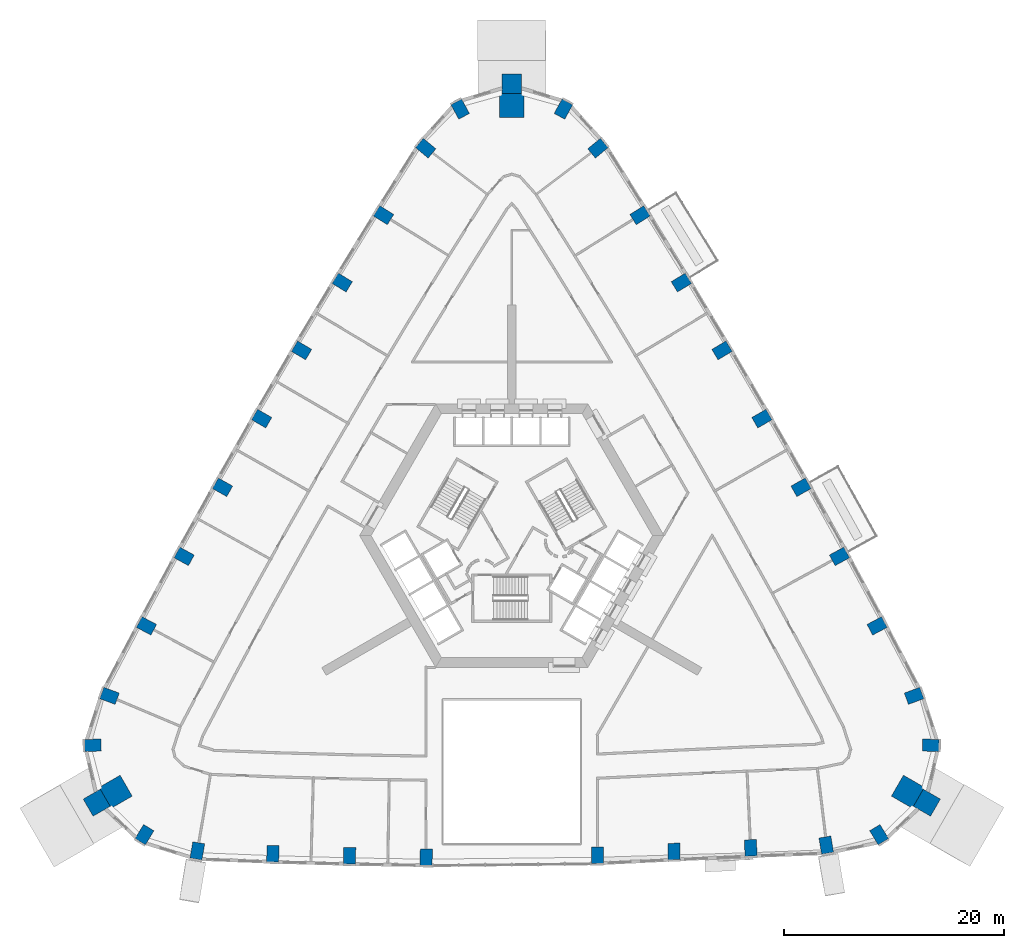
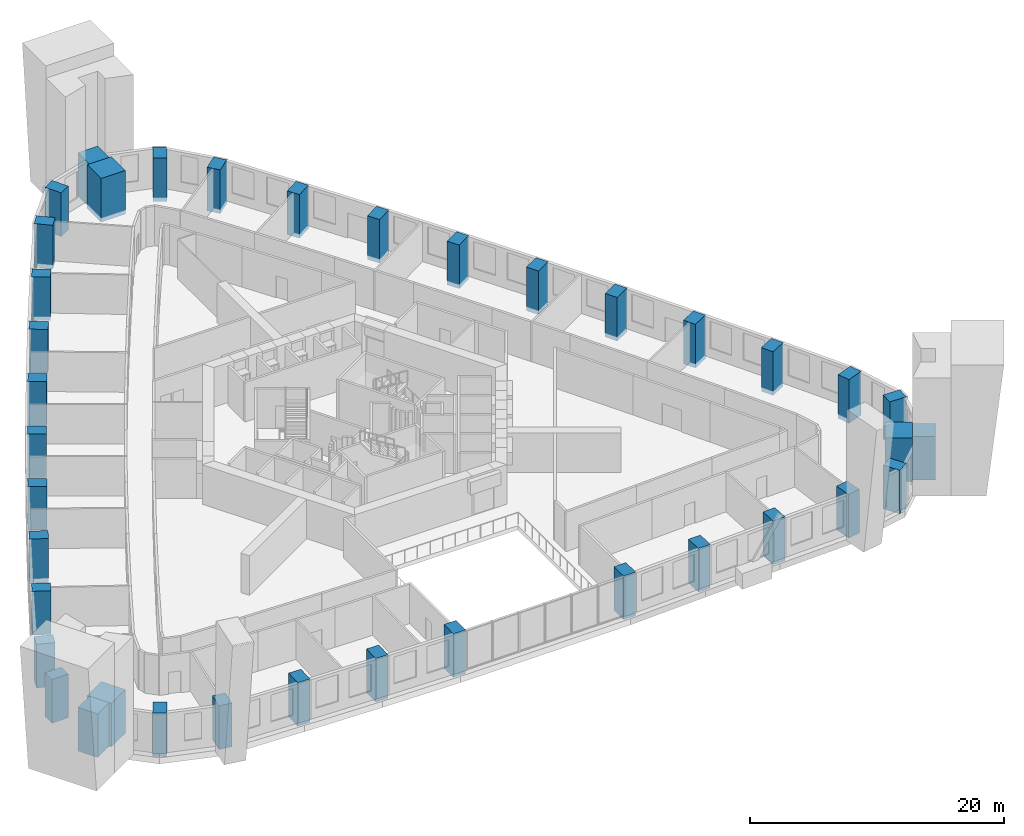
# One storey, part 1 of 15: 38 columns.
"""IFC4 building model written with IfcOpenShell, lengths in metres."""

import ifcopenshell
import ifcopenshell.guid

model = None  # the IFC model being written
_history = None  # IfcOwnerHistory: only IFC2X3 demands one
_inside = {}  # id of a spatial element -> (the spatial element, [elements in it])
_under = {}  # id of a project, library or spatial element -> (it, [spatial elements below it])
_declared = {}  # id of a project -> (the project, [libraries it declares])
_typed = {}  # id of a type object -> (the type object, [elements of that type])
_made_of = {}  # id of a material, layer set ... -> (it, [elements and type objects made of it])


def new_model(schema):
    """Start an empty IFC model of exactly this schema.

    Asked for "IFC4X3", IfcOpenShell would pick the latest addendum, in which some entities
    have other attributes; the version numbers below select the first issue.
    IFC2X3 requires an IfcOwnerHistory on every rooted entity: one is made here for all.
    """
    global model, _history
    if schema == "IFC4X3":
        model = ifcopenshell.file(schema_version=(4, 3, 0, 0))
    else:
        model = ifcopenshell.file(schema=schema)
    _inside.clear()
    _under.clear()
    _declared.clear()
    _typed.clear()
    _made_of.clear()
    _history = None
    if model.schema == "IFC2X3":
        org = make("IfcOrganization", Name="unknown")
        user = make(
            "IfcPersonAndOrganization",
            ThePerson=make("IfcPerson", FamilyName="unknown"),
            TheOrganization=org,
        )
        app = make(
            "IfcApplication",
            ApplicationDeveloper=org,
            Version="unknown",
            ApplicationFullName="unknown",
            ApplicationIdentifier="unknown",
        )
        _history = make(
            "IfcOwnerHistory",
            OwningUser=user,
            OwningApplication=app,
            ChangeAction="ADDED",
            CreationDate=0,
        )
    return model


def make(cls, **values):
    """One entity of the class cls with the attributes given. An attribute that is None is left unset."""
    return model.create_entity(
        cls, **{name: value for name, value in values.items() if value is not None}
    )


def rooted(cls, **values):
    """An entity with a GlobalId (a new one), such as an element, a storey or a relation."""
    return make(cls, GlobalId=ifcopenshell.guid.new(), OwnerHistory=_history, **values)


def si_unit(unit_type, name, prefix=None):
    """IfcSIUnit, for example si_unit("LENGTHUNIT", "METRE", prefix="MILLI")."""
    return make("IfcSIUnit", UnitType=unit_type, Prefix=prefix, Name=name)


def assignment(units):
    """IfcUnitAssignment: the units of a project."""
    return None if units is None else make("IfcUnitAssignment", Units=units)


def point(xyz):
    """IfcCartesianPoint."""
    return None if xyz is None else make("IfcCartesianPoint", Coordinates=xyz)


def direction(xyz):
    """IfcDirection."""
    return None if xyz is None else make("IfcDirection", DirectionRatios=xyz)


def frame(location, z_axis=None, x_axis=None):
    """IfcAxis2Placement3D, a coordinate frame: its origin and axes. An axis left out is left unset."""
    return make(
        "IfcAxis2Placement3D",
        Location=point(location),
        Axis=direction(z_axis),
        RefDirection=direction(x_axis),
    )


def frame_2d(location, x_axis=None):
    """IfcAxis2Placement2D, a coordinate frame in the plane: its origin and x axis."""
    return make(
        "IfcAxis2Placement2D", Location=point(location), RefDirection=direction(x_axis)
    )


def origin():
    """The frame at (0, 0, 0) with its axes left unset."""
    return frame((0.0, 0.0, 0.0))


def origin_2d():
    """The frame at (0, 0) in the plane with its x axis left unset."""
    return frame_2d((0.0, 0.0))


def place(relative_to, where):
    """IfcLocalPlacement: puts the frame where relative to a parent placement (None: the world)."""
    return make(
        "IfcLocalPlacement", PlacementRelTo=relative_to, RelativePlacement=where
    )


def context(
    kind, dimensions, precision=None, world=None, true_north=None, identifier=None
):
    """IfcGeometricRepresentationContext, for example the 3D "Model" context."""
    return make(
        "IfcGeometricRepresentationContext",
        ContextIdentifier=identifier,
        ContextType=kind,
        CoordinateSpaceDimension=dimensions,
        Precision=precision,
        WorldCoordinateSystem=world,
        TrueNorth=true_north,
    )


def subcontext(parent, identifier, kind, view, scale=None):
    """IfcGeometricRepresentationSubContext, for example "Body" below "Model"."""
    return make(
        "IfcGeometricRepresentationSubContext",
        ContextIdentifier=identifier,
        ContextType=kind,
        ParentContext=parent,
        TargetScale=scale,
        TargetView=view,
    )


def project(units=None, contexts=None):
    """IfcProject with its units and contexts."""
    return rooted(
        "IfcProject",
        Name="project",
        RepresentationContexts=contexts,
        UnitsInContext=assignment(units),
    )


def spatial(cls, under=None, at=None, **own):
    """A site, building, storey or space (cls), placed at a placement, below another one or the project."""
    s = rooted(cls, ObjectPlacement=at, **own)
    if under is not None:
        _under.setdefault(under.id(), (under, []))[1].append(s)
    return s


def profile(cls, at=None, kind="AREA", **sizes):
    """A parametric profile (cls). Its sizes go by their IFC names, for example OverallWidth=200.0."""
    return make(cls, ProfileType=kind, Position=at, **sizes)


def rectangle(**sizes):
    """IfcRectangleProfileDef."""
    return profile("IfcRectangleProfileDef", **sizes)


def extrude(swept, where, along, depth):
    """IfcExtrudedAreaSolid: the profile swept, set in the frame where, extruded along a direction by depth."""
    return make(
        "IfcExtrudedAreaSolid",
        SweptArea=swept,
        Position=where,
        ExtrudedDirection=direction(along),
        Depth=depth,
    )


def shape(context_of_items, identifier, shape_type, items):
    """IfcShapeRepresentation: the items that make up one representation, for example the "Body"."""
    return make(
        "IfcShapeRepresentation",
        ContextOfItems=context_of_items,
        RepresentationIdentifier=identifier,
        RepresentationType=shape_type,
        Items=items,
    )


def material(Name=None, Category=None):
    """IfcMaterial."""
    return make("IfcMaterial", Name=Name, Category=Category)


def material_profile(
    of_material, cross_section, Name=None, Category=None, Priority=None
):
    """IfcMaterialProfile: a cross section and its material."""
    return make(
        "IfcMaterialProfile",
        Name=Name,
        Material=of_material,
        Profile=cross_section,
        Priority=Priority,
        Category=Category,
    )


def profile_set(profiles, Name=None, composite=None):
    """IfcMaterialProfileSet."""
    return make(
        "IfcMaterialProfileSet",
        Name=Name,
        MaterialProfiles=profiles,
        CompositeProfile=composite,
    )


def made_of(thing, what):
    """Note that an element or type object is made of a material, layer set ...; save() writes the relation."""
    if what is not None:
        _made_of.setdefault(what.id(), (what, []))[1].append(thing)
    return thing


def type_object(cls, material=None, **own):
    """A type object (cls), such as IfcWallType, which elements share."""
    return made_of(rooted(cls, **own), material)


def element(
    cls,
    number,
    at=None,
    inside=None,
    cuts=None,
    type_object=None,
    material=None,
    context=None,
    identifier="Body",
    shape_type=None,
    held_by="IfcProductDefinitionShape",
    body=None,
    shapes=None,
    **own,
):
    """One element of the class cls, such as IfcWall. Its Tag is "e" and its number.

    at: its placement. inside: the storey or other place that contains it. cuts: it is an
    opening in that element (IfcRelVoidsElement). A single representation is given by context,
    identifier, shape_type and body (its items); several are given by shapes. held_by: the class
    of the entity that holds the representations. save() writes the other relations.
    """
    e = rooted(cls, Tag="e%d" % number, ObjectPlacement=at, **own)
    if body is not None:
        shapes = [shape(context, identifier, shape_type, body)]
    if shapes is not None:
        e.Representation = make(held_by, Representations=shapes)
    if inside is not None:
        _inside.setdefault(inside.id(), (inside, []))[1].append(e)
    if cuts is not None:
        rooted(
            "IfcRelVoidsElement", RelatingBuildingElement=cuts, RelatedOpeningElement=e
        )
    if type_object is not None:
        _typed.setdefault(type_object.id(), (type_object, []))[1].append(e)
    return made_of(e, material)


def aggregate(whole, parts):
    """IfcRelAggregates: a whole, such as a stair, and the parts it consists of."""
    return rooted("IfcRelAggregates", RelatingObject=whole, RelatedObjects=parts)


def save(model, path):
    """Write the relations noted so far, then the file.

    IfcRelAggregates (storeys below a building ...), IfcRelContainedInSpatialStructure (elements
    in a storey), IfcRelDefinesByType, IfcRelAssociatesMaterial and IfcRelDeclares: one each for
    every whole, place, type object, material and project.
    """
    for whole, parts in _under.values():
        aggregate(whole, parts)
    for where, things in _inside.values():
        rooted(
            "IfcRelContainedInSpatialStructure",
            RelatedElements=things,
            RelatingStructure=where,
        )
    for kind, things in _typed.values():
        rooted("IfcRelDefinesByType", RelatedObjects=things, RelatingType=kind)
    for what, things in _made_of.values():
        rooted("IfcRelAssociatesMaterial", RelatedObjects=things, RelatingMaterial=what)
    for by, libraries in _declared.values():
        rooted("IfcRelDeclares", RelatingContext=by, RelatedDefinitions=libraries)
    model.write(path)


model = new_model("IFC4")

# Units and contexts
model_context = context("Model", 3, precision=1e-05, world=origin(), true_north=direction((0.0, 1.0)))
body_context = subcontext(model_context, "Body", "Model", "MODEL_VIEW")
ifc_project = project(units=[si_unit("LENGTHUNIT", "METRE"), si_unit("AREAUNIT", "SQUARE_METRE"), si_unit("VOLUMEUNIT", "CUBIC_METRE"), si_unit("PLANEANGLEUNIT", "RADIAN"), si_unit("MASSUNIT", "GRAM", prefix="KILO")], contexts=[model_context])

# Site, building, storey
site_placement = place(None, origin())
site = spatial("IfcSite", under=ifc_project, at=site_placement, CompositionType="ELEMENT")
building_placement = place(site_placement, origin())
building = spatial("IfcBuilding", under=site, at=building_placement, Name="Entoto Arch Interchange Tower", CompositionType="ELEMENT")
storey_placement = place(building_placement, frame((0.0, 0.0, 111.800048828125)))
storey = spatial("IfcBuildingStorey", under=building, at=storey_placement, Name="L24", CompositionType="ELEMENT", Elevation=111.800048828125)

# Columns
ifc_material_1 = material(Name="Concrete C60/75", Category="concrete")
ifc_material_profile_1 = material_profile(ifc_material_1, rectangle(XDim=1.10009765625, YDim=1.5, at=origin_2d()))
ifc_profile_set_1 = profile_set([ifc_material_profile_1], Name="Concrete C60/75")
column_type_1 = type_object("IfcColumnType", Name="Column RC 1100x1500 C60/75", PredefinedType="COLUMN", material=ifc_profile_set_1)
for number, where, z_axis, x_axis, name in (
    (1, (-28.633056640625, -26.214111328125, -0.400146484375), (0.0, 0.0, 1.0), (-0.985759288085, 0.168162498658, 0.0), "Column S01 L24"),
    (2, (-21.757080078125, -26.469970703125, -0.400146484375), (0.0, 0.0, 1.0), (-0.999373652571, 0.035387887008, 0.0), "Column S02 L24"),
    (3, (-14.77294921875, -26.662109375, -0.400146484375), (0.0, 0.0, 1.0), (-0.999711216939, 0.024030870297, 0.0), "Column S03 L24"),
    (4, (-7.7919921875, -26.781982421875, -0.400146484375), (0.0, 0.0, 1.0), (-0.999958020206, 0.009162850353, 0.0), "Column S04 L24"),
    (5, (7.7919921875, -26.610107421875, -0.400146484375), (0.0, 0.0, 1.0), (0.999958020206, 0.009162850353, 0.0), "Column S05 L24"),
    (6, (14.77294921875, -26.26708984375, -0.400146484375), (0.0, 0.0, 1.0), (0.999711216939, 0.024030870297, 0.0), "Column S06 L24"),
    (7, (21.757080078125, -25.94189453125, -0.400146484375), (0.0, 0.0, 1.0), (0.999373652571, 0.035387887008, 0.0), "Column S07 L24"),
    (8, (28.633056640625, -25.68603515625, -0.400146484375), (0.0, 0.0, 1.0), (0.985759288085, 0.168162498658, 0.0), "Column S08 L24"),
    (9, (33.447021484375, -24.737060546875, -0.400146484375), (0.0, 0.0, 1.0), (0.854095929175, 0.520115510024, 0.0), "Column SE1 L24"),
    (10, (38.14697265625, -16.596923828125, -0.400146484375), (0.0, 0.0, 1.0), (0.023385279996, 0.999726526946, 0.0), "Column SE3 L24"),
    (11, (36.635009765625, -12.095947265625, -0.400146484375), (0.0, 0.0, 1.0), (-0.347312116358, 0.937749590152, 0.0), "Column NE01 L24"),
    (12, (33.26611328125, -5.72607421875, -0.400146484375), (0.0, 0.0, 1.0), (-0.469332863911, 0.883021326386, 0.0), "Column NE02 L24"),
    (13, (29.837890625, 0.60400390625, -0.400146484375), (0.0, 0.0, 1.0), (-0.479611016922, 0.87748120917, 0.0), "Column NE03 L24"),
    (14, (26.341064453125, 6.89599609375, -0.400146484375), (0.0, 0.0, 1.0), (-0.489838999048, 0.87181291285, 0.0), "Column NE04 L24"),
    (15, (22.777099609375, 13.14990234375, -0.400146484375), (0.0, 0.0, 1.0), (-0.5, 0.866025403784, 0.0), "Column NE05 L24"),
    (16, (19.14306640625, 19.364013671875, -0.400146484375), (0.0, 0.0, 1.0), (-0.510092630351, 0.860119473365, 0.0), "Column NE06 L24"),
    (17, (15.44189453125, 25.5390625, -0.400146484375), (0.0, 0.0, 1.0), (-0.520115510024, 0.854095929175, 0.0), "Column NE07 L24"),
    (18, (11.675048828125, 31.673095703125, -0.400146484375), (0.0, 0.0, 1.0), (-0.530067268476, 0.847955594881, 0.0), "Column NE08 L24"),
    (19, (7.842041015625, 37.77392578125, -0.400146484375), (0.0, 0.0, 1.0), (-0.638458909281, 0.769655910885, 0.0), "Column NE09 L24"),
    (20, (4.699951171875, 41.333984375, -0.400146484375), (0.0, 0.0, 1.0), (-0.87748120917, 0.479611016922, 0.0), "Column N1 L24"),
    (21, (-4.699951171875, 41.333984375, -0.400146484375), (0.0, 0.0, 1.0), (0.87748120917, 0.479611016922, 0.0), "Column N3 L24"),
    (22, (-7.842041015625, 37.77392578125, -0.400146484375), (0.0, 0.0, 1.0), (0.638458909281, 0.769655910885, 0.0), "Column NW01 L24"),
    (23, (-11.675048828125, 31.673095703125, -0.400146484375), (0.0, 0.0, 1.0), (0.530067268476, 0.847955594881, 0.0), "Column NW02 L24"),
    (24, (-15.44189453125, 25.5390625, -0.400146484375), (0.0, 0.0, 1.0), (0.520115510024, 0.854095929175, 0.0), "Column NW03 L24"),
    (25, (-19.14306640625, 19.364013671875, -0.400146484375), (0.0, 0.0, 1.0), (0.510092630351, 0.860119473365, 0.0), "Column NW04 L24"),
    (26, (-22.777099609375, 13.14990234375, -0.400146484375), (0.0, 0.0, 1.0), (0.5, 0.866025403784, 0.0), "Column NW05 L24"),
    (27, (-26.341064453125, 6.89599609375, -0.400146484375), (0.0, 0.0, 1.0), (0.489838999048, 0.87181291285, 0.0), "Column NW06 L24"),
    (28, (-29.837890625, 0.60400390625, -0.400146484375), (0.0, 0.0, 1.0), (0.479611016922, 0.87748120917, 0.0), "Column NW07 L24"),
    (29, (-33.26611328125, -5.72607421875, -0.400146484375), (0.0, 0.0, 1.0), (0.469332863911, 0.883021326386, 0.0), "Column NW08 L24"),
    (30, (-36.635009765625, -12.095947265625, -0.400146484375), (0.0, 0.0, 1.0), (0.347312116358, 0.937749590152, 0.0), "Column NW09 L24"),
    (31, (-38.14697265625, -16.596923828125, -0.400146484375), (0.0, 0.0, 1.0), (-0.023385279996, 0.999726526946, 0.0), "Column SW1 L24"),
    (32, (-33.447021484375, -24.737060546875, -0.400146484375), (0.0, 0.0, 1.0), (-0.854095929175, 0.520115510024, 0.0), "Column SW3 L24"),
):
    element("IfcColumn", number, at=place(storey_placement, frame(where, z_axis=z_axis, x_axis=x_axis)), inside=storey, type_object=column_type_1, Name=name, PredefinedType="COLUMN", context=body_context, shape_type="SweptSolid", body=[
        extrude(rectangle(XDim=1.10009765625, YDim=1.5, at=origin_2d()), origin(), (0.0, 0.0, 1.0), 4.2001953125),
    ])
ifc_material_2 = material(Name="Precast concrete C40/50", Category="concrete")
ifc_material_profile_2 = material_profile(ifc_material_2, rectangle(XDim=1.800048828125, YDim=1.800048828125, at=origin_2d()))
ifc_profile_set_2 = profile_set([ifc_material_profile_2], Name="Precast concrete C40/50")
column_type_2 = type_object("IfcColumnType", Name="Frame post RC 1800x1800 precast C40/50", PredefinedType="COLUMN", material=ifc_profile_set_2)
for number, where, z_axis, x_axis, name in (
    (33, (37.801025390625, -21.824951171875, -0.400146484375), (0.0, 0.0, 1.0), (-0.866025403784, 0.5, 0.0), "Frame post SE L24"),
    (34, (0.0, 43.64892578125, -0.400146484375), (0.0, 0.0, 1.0), (0.0, 1.0, 0.0), "Frame post N L24"),
    (35, (-37.801025390625, -21.824951171875, -0.400146484375), (0.0, 0.0, 1.0), (0.866025403784, 0.5, 0.0), "Frame post SW L24"),
):
    element("IfcColumn", number, at=place(storey_placement, frame(where, z_axis=z_axis, x_axis=x_axis)), inside=storey, type_object=column_type_2, Name=name, PredefinedType="COLUMN", context=body_context, shape_type="SweptSolid", body=[
        extrude(rectangle(XDim=1.800048828125, YDim=1.800048828125, at=origin_2d()), origin(), (0.0, 0.0, 1.0), 4.2001953125),
    ])
ifc_material_profile_3 = material_profile(ifc_material_1, rectangle(XDim=2.199951171875, YDim=2.199951171875, at=origin_2d()))
ifc_profile_set_3 = profile_set([ifc_material_profile_3], Name="Concrete C60/75")
column_type_3 = type_object("IfcColumnType", Name="Mega column RC 2200x2200 C60/75", PredefinedType="COLUMN", material=ifc_profile_set_3)
for number, where, z_axis, x_axis, name in (
    (36, (36.069091796875, -20.824951171875, -0.400146484375), (0.0, 0.0, 1.0), (-0.866025403784, 0.5, 0.0), "Corner mega column SE2 L24"),
    (37, (0.0, 41.64892578125, -0.400146484375), (0.0, 0.0, 1.0), (0.0, 1.0, 0.0), "Corner mega column N2 L24"),
    (38, (-36.069091796875, -20.824951171875, -0.400146484375), (0.0, 0.0, 1.0), (0.866025403784, 0.5, 0.0), "Corner mega column SW2 L24"),
):
    element("IfcColumn", number, at=place(storey_placement, frame(where, z_axis=z_axis, x_axis=x_axis)), inside=storey, type_object=column_type_3, Name=name, PredefinedType="COLUMN", context=body_context, shape_type="SweptSolid", body=[
        extrude(rectangle(XDim=2.199951171875, YDim=2.199951171875, at=origin_2d()), origin(), (0.0, 0.0, 1.0), 4.2001953125),
    ])

save(model, "model.ifc")
